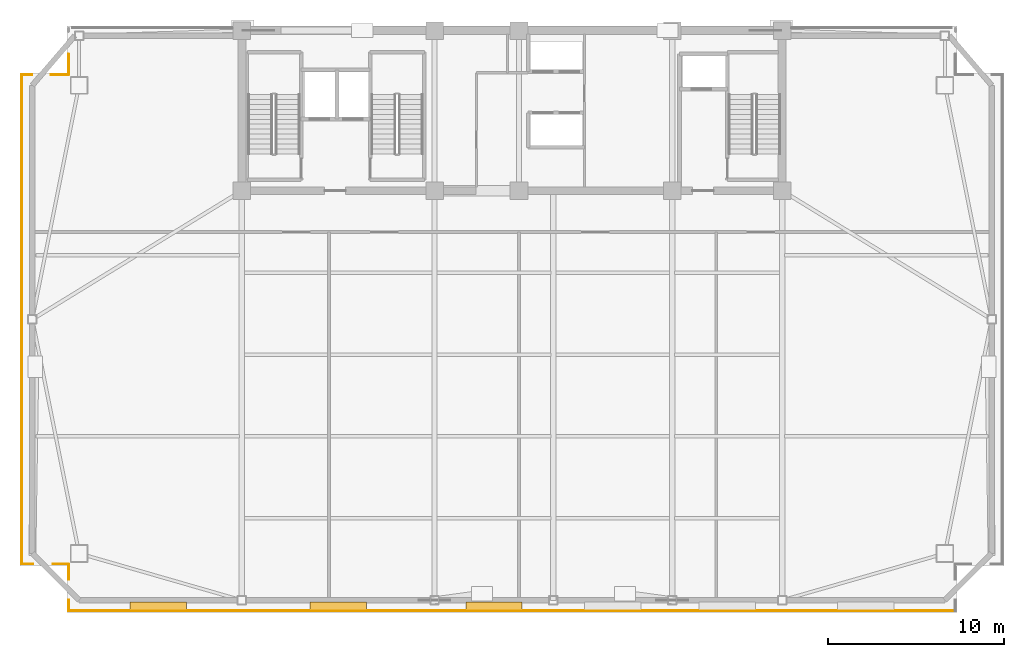
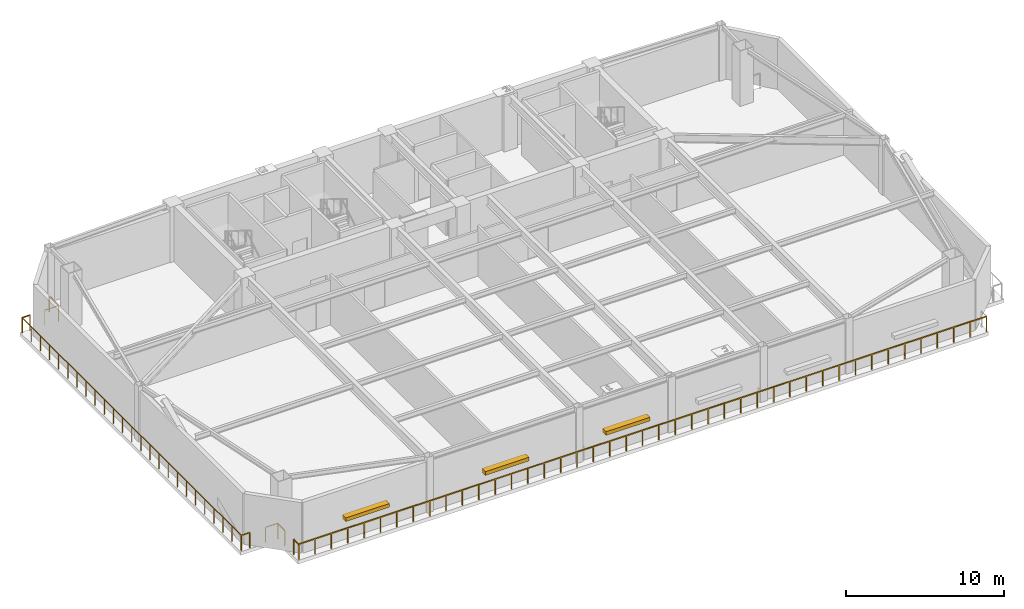
# One storey, part 5 of 9: 9 railings, 3 shading devices.
"""IFC4 building model written with IfcOpenShell, lengths in metres."""

from ifc_helpers import new_model, si_unit, direction, frame, origin, origin_2d, place, context, subcontext, project, spatial, rectangle, extrude, source, transform, mapped, material, type_object, element, save


model = new_model("IFC4")

# Units and contexts
model_context = context("Model", 3, precision=1e-05, world=origin(), true_north=direction((0.0, 1.0)))
body_context = subcontext(model_context, "Body", "Model", "MODEL_VIEW")
ifc_project = project(units=[si_unit("LENGTHUNIT", "METRE"), si_unit("AREAUNIT", "SQUARE_METRE"), si_unit("VOLUMEUNIT", "CUBIC_METRE"), si_unit("PLANEANGLEUNIT", "RADIAN"), si_unit("MASSUNIT", "GRAM", prefix="KILO")], contexts=[model_context])

# Site, building, storey
site_placement = place(None, origin())
site = spatial("IfcSite", under=ifc_project, at=site_placement, CompositionType="ELEMENT")
building_placement = place(site_placement, origin())
building = spatial("IfcBuilding", under=site, at=building_placement, Name="Giltprow Tower", CompositionType="ELEMENT")
storey_placement = place(building_placement, frame((0.0, 0.0, 237.199951171875)))
storey = spatial("IfcBuildingStorey", under=building, at=storey_placement, Name="L60", CompositionType="ELEMENT", Elevation=237.199951171875)

# Railings
ifc_material = material(Name="Anodized bronze", Category="metal")
railing_type = type_object("IfcRailingType", Name="RAIL-BALC-GUARD-1200", PredefinedType="BALUSTRADE", material=ifc_material)
railing_1_placement = place(storey_placement, frame((60.39111328125, 13.58203125, 0.0)))
element("IfcRailing", 1, at=railing_1_placement, inside=storey, type_object=railing_type, Name="L60 Corner Apron Edge Balustrade 6", PredefinedType="BALUSTRADE", context=body_context, shape_type="SweptSolid", body=[
    extrude(rectangle(XDim=0.048095703125, YDim=0.048095703125, at=origin_2d()), frame((0.0, 0.0, 1.17578125), z_axis=(-1.0, 0.0, 0.0), x_axis=(0.0, -1.0, 0.0)), (0.0, 0.0, 1.0), 50.382080078125),
    extrude(rectangle(XDim=0.0419921875, YDim=0.0419921875, at=origin_2d()), origin(), (0.0, 0.0, 1.0), 1.15185546875),
    extrude(rectangle(XDim=0.0419921875, YDim=0.0419921875, at=origin_2d()), frame((-1.199462890625, 0.0, 0.0)), (0.0, 0.0, 1.0), 1.15185546875),
    extrude(rectangle(XDim=0.0419921875, YDim=0.0419921875, at=origin_2d()), frame((-2.399169921875, 0.0, 0.0)), (0.0, 0.0, 1.0), 1.15185546875),
    extrude(rectangle(XDim=0.0419921875, YDim=0.0419921875, at=origin_2d()), frame((-3.5986328125, 0.0, 0.0)), (0.0, 0.0, 1.0), 1.15185546875),
    extrude(rectangle(XDim=0.0419921875, YDim=0.0419921875, at=origin_2d()), frame((-4.79833984375, 0.0, 0.0)), (0.0, 0.0, 1.0), 1.15185546875),
    extrude(rectangle(XDim=0.0419921875, YDim=0.0419921875, at=origin_2d()), frame((-5.997802734375, 0.0, 0.0)), (0.0, 0.0, 1.0), 1.15185546875),
    extrude(rectangle(XDim=0.0419921875, YDim=0.0419921875, at=origin_2d()), frame((-7.197509765625, 0.0, 0.0)), (0.0, 0.0, 1.0), 1.15185546875),
    extrude(rectangle(XDim=0.0419921875, YDim=0.0419921875, at=origin_2d()), frame((-8.39697265625, 0.0, 0.0)), (0.0, 0.0, 1.0), 1.15185546875),
    extrude(rectangle(XDim=0.0419921875, YDim=0.0419921875, at=origin_2d()), frame((-9.5966796875, 0.0, 0.0)), (0.0, 0.0, 1.0), 1.15185546875),
    extrude(rectangle(XDim=0.0419921875, YDim=0.0419921875, at=origin_2d()), frame((-10.796142578125, 0.0, 0.0)), (0.0, 0.0, 1.0), 1.15185546875),
    extrude(rectangle(XDim=0.0419921875, YDim=0.0419921875, at=origin_2d()), frame((-11.995849609375, 0.0, 0.0)), (0.0, 0.0, 1.0), 1.15185546875),
    extrude(rectangle(XDim=0.0419921875, YDim=0.0419921875, at=origin_2d()), frame((-13.1953125, 0.0, 0.0)), (0.0, 0.0, 1.0), 1.15185546875),
    extrude(rectangle(XDim=0.0419921875, YDim=0.0419921875, at=origin_2d()), frame((-14.394775390625, 0.0, 0.0)), (0.0, 0.0, 1.0), 1.15185546875),
    extrude(rectangle(XDim=0.0419921875, YDim=0.0419921875, at=origin_2d()), frame((-15.594482421875, 0.0, 0.0)), (0.0, 0.0, 1.0), 1.15185546875),
    extrude(rectangle(XDim=0.0419921875, YDim=0.0419921875, at=origin_2d()), frame((-16.7939453125, 0.0, 0.0)), (0.0, 0.0, 1.0), 1.15185546875),
    extrude(rectangle(XDim=0.0419921875, YDim=0.0419921875, at=origin_2d()), frame((-17.99365234375, 0.0, 0.0)), (0.0, 0.0, 1.0), 1.15185546875),
    extrude(rectangle(XDim=0.0419921875, YDim=0.0419921875, at=origin_2d()), frame((-19.193115234375, 0.0, 0.0)), (0.0, 0.0, 1.0), 1.15185546875),
    extrude(rectangle(XDim=0.0419921875, YDim=0.0419921875, at=origin_2d()), frame((-20.392822265625, 0.0, 0.0)), (0.0, 0.0, 1.0), 1.15185546875),
    extrude(rectangle(XDim=0.0419921875, YDim=0.0419921875, at=origin_2d()), frame((-21.59228515625, 0.0, 0.0)), (0.0, 0.0, 1.0), 1.15185546875),
    extrude(rectangle(XDim=0.0419921875, YDim=0.0419921875, at=origin_2d()), frame((-22.7919921875, 0.0, 0.0)), (0.0, 0.0, 1.0), 1.15185546875),
    extrude(rectangle(XDim=0.0419921875, YDim=0.0419921875, at=origin_2d()), frame((-23.991455078125, 0.0, 0.0)), (0.0, 0.0, 1.0), 1.15185546875),
    extrude(rectangle(XDim=0.0419921875, YDim=0.0419921875, at=origin_2d()), frame((-25.19091796875, 0.0, 0.0)), (0.0, 0.0, 1.0), 1.15185546875),
    extrude(rectangle(XDim=0.0419921875, YDim=0.0419921875, at=origin_2d()), frame((-26.390625, 0.0, 0.0)), (0.0, 0.0, 1.0), 1.15185546875),
    extrude(rectangle(XDim=0.0419921875, YDim=0.0419921875, at=origin_2d()), frame((-27.590087890625, 0.0, 0.0)), (0.0, 0.0, 1.0), 1.15185546875),
    extrude(rectangle(XDim=0.0419921875, YDim=0.0419921875, at=origin_2d()), frame((-28.789794921875, 0.0, 0.0)), (0.0, 0.0, 1.0), 1.15185546875),
    extrude(rectangle(XDim=0.0419921875, YDim=0.0419921875, at=origin_2d()), frame((-29.9892578125, 0.0, 0.0)), (0.0, 0.0, 1.0), 1.15185546875),
    extrude(rectangle(XDim=0.0419921875, YDim=0.0419921875, at=origin_2d()), frame((-31.18896484375, 0.0, 0.0)), (0.0, 0.0, 1.0), 1.15185546875),
    extrude(rectangle(XDim=0.0419921875, YDim=0.0419921875, at=origin_2d()), frame((-32.388427734375, 0.0, 0.0)), (0.0, 0.0, 1.0), 1.15185546875),
    extrude(rectangle(XDim=0.0419921875, YDim=0.0419921875, at=origin_2d()), frame((-33.588134765625, 0.0, 0.0)), (0.0, 0.0, 1.0), 1.15185546875),
    extrude(rectangle(XDim=0.0419921875, YDim=0.0419921875, at=origin_2d()), frame((-34.78759765625, 0.0, 0.0)), (0.0, 0.0, 1.0), 1.15185546875),
    extrude(rectangle(XDim=0.0419921875, YDim=0.0419921875, at=origin_2d()), frame((-35.9873046875, 0.0, 0.0)), (0.0, 0.0, 1.0), 1.15185546875),
    extrude(rectangle(XDim=0.0419921875, YDim=0.0419921875, at=origin_2d()), frame((-37.186767578125, 0.0, 0.0)), (0.0, 0.0, 1.0), 1.15185546875),
    extrude(rectangle(XDim=0.0419921875, YDim=0.0419921875, at=origin_2d()), frame((-38.38623046875, 0.0, 0.0)), (0.0, 0.0, 1.0), 1.15185546875),
    extrude(rectangle(XDim=0.0419921875, YDim=0.0419921875, at=origin_2d()), frame((-39.5859375, 0.0, 0.0)), (0.0, 0.0, 1.0), 1.15185546875),
    extrude(rectangle(XDim=0.0419921875, YDim=0.0419921875, at=origin_2d()), frame((-40.785400390625, 0.0, 0.0)), (0.0, 0.0, 1.0), 1.15185546875),
    extrude(rectangle(XDim=0.0419921875, YDim=0.0419921875, at=origin_2d()), frame((-41.985107421875, 0.0, 0.0)), (0.0, 0.0, 1.0), 1.15185546875),
    extrude(rectangle(XDim=0.0419921875, YDim=0.0419921875, at=origin_2d()), frame((-43.1845703125, 0.0, 0.0)), (0.0, 0.0, 1.0), 1.15185546875),
    extrude(rectangle(XDim=0.0419921875, YDim=0.0419921875, at=origin_2d()), frame((-44.38427734375, 0.0, 0.0)), (0.0, 0.0, 1.0), 1.15185546875),
    extrude(rectangle(XDim=0.0419921875, YDim=0.0419921875, at=origin_2d()), frame((-45.583740234375, 0.0, 0.0)), (0.0, 0.0, 1.0), 1.15185546875),
    extrude(rectangle(XDim=0.0419921875, YDim=0.0419921875, at=origin_2d()), frame((-46.783447265625, 0.0, 0.0)), (0.0, 0.0, 1.0), 1.15185546875),
    extrude(rectangle(XDim=0.0419921875, YDim=0.0419921875, at=origin_2d()), frame((-47.98291015625, 0.0, 0.0)), (0.0, 0.0, 1.0), 1.15185546875),
    extrude(rectangle(XDim=0.0419921875, YDim=0.0419921875, at=origin_2d()), frame((-49.1826171875, 0.0, 0.0)), (0.0, 0.0, 1.0), 1.15185546875),
    extrude(rectangle(XDim=0.0419921875, YDim=0.0419921875, at=origin_2d()), frame((-50.382080078125, 0.0, 0.0)), (0.0, 0.0, 1.0), 1.15185546875),
])
railing_2_placement = place(storey_placement, frame((10.009033203125, 13.58203125, 0.0)))
element("IfcRailing", 2, at=railing_2_placement, inside=storey, type_object=railing_type, Name="L60 Corner Apron Edge Balustrade 7", PredefinedType="BALUSTRADE", context=body_context, shape_type="SweptSolid", body=[
    extrude(rectangle(XDim=0.048095703125, YDim=0.048095703125, at=origin_2d()), frame((0.0, 0.0, 1.17578125), z_axis=(0.0, 1.0, 0.0), x_axis=(-1.0, 0.0, 0.0)), (0.0, 0.0, 1.0), 0.619873046875),
    extrude(rectangle(XDim=0.0419921875, YDim=0.0419921875, at=origin_2d()), origin(), (0.0, 0.0, 1.0), 1.15185546875),
    extrude(rectangle(XDim=0.0419921875, YDim=0.0419921875, at=origin_2d()), frame((0.0, 0.619873046875, 0.0)), (0.0, 0.0, 1.0), 1.15185546875),
])
railing_3_placement = place(storey_placement, frame((10.009033203125, 15.362060546875, 0.0)))
element("IfcRailing", 3, at=railing_3_placement, inside=storey, type_object=railing_type, Name="L60 Corner Apron Edge Balustrade 8", PredefinedType="BALUSTRADE", context=body_context, shape_type="SweptSolid", body=[
    extrude(rectangle(XDim=0.048095703125, YDim=0.048095703125, at=origin_2d()), frame((0.0, 0.0, 1.17578125), z_axis=(0.0, 1.0, 0.0), x_axis=(-1.0, 0.0, 0.0)), (0.0, 0.0, 1.0), 0.880859375),
    extrude(rectangle(XDim=0.0419921875, YDim=0.0419921875, at=origin_2d()), origin(), (0.0, 0.0, 1.0), 1.15185546875),
    extrude(rectangle(XDim=0.0419921875, YDim=0.0419921875, at=origin_2d()), frame((0.0, 0.880859375, 0.0)), (0.0, 0.0, 1.0), 1.15185546875),
])
railing_4_placement = place(storey_placement, frame((10.009033203125, 16.242919921875, 0.0)))
element("IfcRailing", 4, at=railing_4_placement, inside=storey, type_object=railing_type, Name="L60 Corner Apron Edge Balustrade 9", PredefinedType="BALUSTRADE", context=body_context, shape_type="SweptSolid", body=[
    extrude(rectangle(XDim=0.048095703125, YDim=0.048095703125, at=origin_2d()), frame((0.0, 0.0, 1.17578125), z_axis=(-1.0, 0.0, 0.0), x_axis=(0.0, -1.0, 0.0)), (0.0, 0.0, 1.0), 0.881103515625),
    extrude(rectangle(XDim=0.0419921875, YDim=0.0419921875, at=origin_2d()), origin(), (0.0, 0.0, 1.0), 1.15185546875),
    extrude(rectangle(XDim=0.0419921875, YDim=0.0419921875, at=origin_2d()), frame((-0.881103515625, 0.0, 0.0)), (0.0, 0.0, 1.0), 1.15185546875),
])
railing_5_placement = place(storey_placement, frame((7.968017578125, 16.242919921875, 0.0)))
element("IfcRailing", 5, at=railing_5_placement, inside=storey, type_object=railing_type, Name="L60 Corner Apron Edge Balustrade 10", PredefinedType="BALUSTRADE", context=body_context, shape_type="SweptSolid", body=[
    extrude(rectangle(XDim=0.048095703125, YDim=0.048095703125, at=origin_2d()), frame((0.0, 0.0, 1.17578125), z_axis=(-1.0, 0.0, 0.0), x_axis=(0.0, -1.0, 0.0)), (0.0, 0.0, 1.0), 0.6201171875),
    extrude(rectangle(XDim=0.0419921875, YDim=0.0419921875, at=origin_2d()), origin(), (0.0, 0.0, 1.0), 1.15185546875),
    extrude(rectangle(XDim=0.0419921875, YDim=0.0419921875, at=origin_2d()), frame((-0.6201171875, 0.0, 0.0)), (0.0, 0.0, 1.0), 1.15185546875),
])
railing_6_placement = place(storey_placement, frame((7.347900390625, 16.242919921875, 0.0)))
element("IfcRailing", 6, at=railing_6_placement, inside=storey, type_object=railing_type, Name="L60 Corner Apron Edge Balustrade 11", PredefinedType="BALUSTRADE", context=body_context, shape_type="SweptSolid", body=[
    extrude(rectangle(XDim=0.048095703125, YDim=0.048095703125, at=origin_2d()), frame((0.0, 0.0, 1.17578125), z_axis=(0.0, 1.0, 0.0), x_axis=(-1.0, 0.0, 0.0)), (0.0, 0.0, 1.0), 27.796142578125),
    extrude(rectangle(XDim=0.0419921875, YDim=0.0419921875, at=origin_2d()), origin(), (0.0, 0.0, 1.0), 1.15185546875),
    extrude(rectangle(XDim=0.0419921875, YDim=0.0419921875, at=origin_2d()), frame((0.0, 1.158203125, 0.0)), (0.0, 0.0, 1.0), 1.15185546875),
    extrude(rectangle(XDim=0.0419921875, YDim=0.0419921875, at=origin_2d()), frame((0.0, 2.31640625, 0.0)), (0.0, 0.0, 1.0), 1.15185546875),
    extrude(rectangle(XDim=0.0419921875, YDim=0.0419921875, at=origin_2d()), frame((0.0, 3.474609375, 0.0)), (0.0, 0.0, 1.0), 1.15185546875),
    extrude(rectangle(XDim=0.0419921875, YDim=0.0419921875, at=origin_2d()), frame((0.0, 4.6328125, 0.0)), (0.0, 0.0, 1.0), 1.15185546875),
    extrude(rectangle(XDim=0.0419921875, YDim=0.0419921875, at=origin_2d()), frame((0.0, 5.790771484375, 0.0)), (0.0, 0.0, 1.0), 1.15185546875),
    extrude(rectangle(XDim=0.0419921875, YDim=0.0419921875, at=origin_2d()), frame((0.0, 6.948974609375, 0.0)), (0.0, 0.0, 1.0), 1.15185546875),
    extrude(rectangle(XDim=0.0419921875, YDim=0.0419921875, at=origin_2d()), frame((0.0, 8.107177734375, 0.0)), (0.0, 0.0, 1.0), 1.15185546875),
    extrude(rectangle(XDim=0.0419921875, YDim=0.0419921875, at=origin_2d()), frame((0.0, 9.265380859375, 0.0)), (0.0, 0.0, 1.0), 1.15185546875),
    extrude(rectangle(XDim=0.0419921875, YDim=0.0419921875, at=origin_2d()), frame((0.0, 10.423583984375, 0.0)), (0.0, 0.0, 1.0), 1.15185546875),
    extrude(rectangle(XDim=0.0419921875, YDim=0.0419921875, at=origin_2d()), frame((0.0, 11.581787109375, 0.0)), (0.0, 0.0, 1.0), 1.15185546875),
    extrude(rectangle(XDim=0.0419921875, YDim=0.0419921875, at=origin_2d()), frame((0.0, 12.739990234375, 0.0)), (0.0, 0.0, 1.0), 1.15185546875),
    extrude(rectangle(XDim=0.0419921875, YDim=0.0419921875, at=origin_2d()), frame((0.0, 13.89794921875, 0.0)), (0.0, 0.0, 1.0), 1.15185546875),
    extrude(rectangle(XDim=0.0419921875, YDim=0.0419921875, at=origin_2d()), frame((0.0, 15.05615234375, 0.0)), (0.0, 0.0, 1.0), 1.15185546875),
    extrude(rectangle(XDim=0.0419921875, YDim=0.0419921875, at=origin_2d()), frame((0.0, 16.21435546875, 0.0)), (0.0, 0.0, 1.0), 1.15185546875),
    extrude(rectangle(XDim=0.0419921875, YDim=0.0419921875, at=origin_2d()), frame((0.0, 17.37255859375, 0.0)), (0.0, 0.0, 1.0), 1.15185546875),
    extrude(rectangle(XDim=0.0419921875, YDim=0.0419921875, at=origin_2d()), frame((0.0, 18.53076171875, 0.0)), (0.0, 0.0, 1.0), 1.15185546875),
    extrude(rectangle(XDim=0.0419921875, YDim=0.0419921875, at=origin_2d()), frame((0.0, 19.68896484375, 0.0)), (0.0, 0.0, 1.0), 1.15185546875),
    extrude(rectangle(XDim=0.0419921875, YDim=0.0419921875, at=origin_2d()), frame((0.0, 20.84716796875, 0.0)), (0.0, 0.0, 1.0), 1.15185546875),
    extrude(rectangle(XDim=0.0419921875, YDim=0.0419921875, at=origin_2d()), frame((0.0, 22.00537109375, 0.0)), (0.0, 0.0, 1.0), 1.15185546875),
    extrude(rectangle(XDim=0.0419921875, YDim=0.0419921875, at=origin_2d()), frame((0.0, 23.16357421875, 0.0)), (0.0, 0.0, 1.0), 1.15185546875),
    extrude(rectangle(XDim=0.0419921875, YDim=0.0419921875, at=origin_2d()), frame((0.0, 24.321533203125, 0.0)), (0.0, 0.0, 1.0), 1.15185546875),
    extrude(rectangle(XDim=0.0419921875, YDim=0.0419921875, at=origin_2d()), frame((0.0, 25.479736328125, 0.0)), (0.0, 0.0, 1.0), 1.15185546875),
    extrude(rectangle(XDim=0.0419921875, YDim=0.0419921875, at=origin_2d()), frame((0.0, 26.637939453125, 0.0)), (0.0, 0.0, 1.0), 1.15185546875),
    extrude(rectangle(XDim=0.0419921875, YDim=0.0419921875, at=origin_2d()), frame((0.0, 27.796142578125, 0.0)), (0.0, 0.0, 1.0), 1.15185546875),
])
railing_7_placement = place(storey_placement, frame((7.347900390625, 44.0390625, 0.0)))
element("IfcRailing", 7, at=railing_7_placement, inside=storey, type_object=railing_type, Name="L60 Corner Apron Edge Balustrade 12", PredefinedType="BALUSTRADE", context=body_context, shape_type="SweptSolid", body=[
    extrude(rectangle(XDim=0.048095703125, YDim=0.048095703125, at=origin_2d()), frame((0.0, 0.0, 1.17578125), z_axis=(1.0, 0.0, 0.0), x_axis=(0.0, 1.0, 0.0)), (0.0, 0.0, 1.0), 0.57421875),
    extrude(rectangle(XDim=0.0419921875, YDim=0.0419921875, at=origin_2d()), origin(), (0.0, 0.0, 1.0), 1.15185546875),
    extrude(rectangle(XDim=0.0419921875, YDim=0.0419921875, at=origin_2d()), frame((0.57421875, 0.0, 0.0)), (0.0, 0.0, 1.0), 1.15185546875),
])
railing_8_placement = place(storey_placement, frame((9.0029296875, 44.0390625, 0.0)))
element("IfcRailing", 8, at=railing_8_placement, inside=storey, type_object=railing_type, Name="L60 Corner Apron Edge Balustrade 13", PredefinedType="BALUSTRADE", context=body_context, shape_type="SweptSolid", body=[
    extrude(rectangle(XDim=0.048095703125, YDim=0.048095703125, at=origin_2d()), frame((0.0, 0.0, 1.17578125), z_axis=(1.0, 0.0, 0.0), x_axis=(0.0, 1.0, 0.0)), (0.0, 0.0, 1.0), 1.006103515625),
    extrude(rectangle(XDim=0.0419921875, YDim=0.0419921875, at=origin_2d()), origin(), (0.0, 0.0, 1.0), 1.15185546875),
    extrude(rectangle(XDim=0.0419921875, YDim=0.0419921875, at=origin_2d()), frame((1.006103515625, 0.0, 0.0)), (0.0, 0.0, 1.0), 1.15185546875),
])
railing_9_placement = place(storey_placement, frame((10.009033203125, 44.0390625, 0.0)))
element("IfcRailing", 9, at=railing_9_placement, inside=storey, type_object=railing_type, Name="L60 Corner Apron Edge Balustrade 14", PredefinedType="BALUSTRADE", context=body_context, shape_type="SweptSolid", body=[
    extrude(rectangle(XDim=0.048095703125, YDim=0.048095703125, at=origin_2d()), frame((0.0, 0.0, 1.17578125), z_axis=(0.0, 1.0, 0.0), x_axis=(-1.0, 0.0, 0.0)), (0.0, 0.0, 1.0), 1.1728515625),
    extrude(rectangle(XDim=0.0419921875, YDim=0.0419921875, at=origin_2d()), origin(), (0.0, 0.0, 1.0), 1.15185546875),
    extrude(rectangle(XDim=0.0419921875, YDim=0.0419921875, at=origin_2d()), frame((0.0, 1.1728515625, 0.0)), (0.0, 0.0, 1.0), 1.15185546875),
])

# Shading devices
shading_device_type = type_object("IfcShadingDeviceType", Name="SHD-LOUVRE-320", PredefinedType="JALOUSIE", material=ifc_material)
shared_shape = source(origin(), body_context, "Body", "SweptSolid", [
    extrude(rectangle(XDim=3.199951171875, YDim=0.449951171875, at=origin_2d()), origin(), (0.0, 0.0, 1.0), 0.280029296875),
])
for number, where, z_axis, x_axis, name in (
    (10, (15.10498046875, 13.8720703125, 1.66015625), (0.0, 0.0, 1.0), (1.0, 0.0, 0.0), "L60 Refuge Intake Louvre S-1"),
    (11, (25.324951171875, 13.8720703125, 1.66015625), (0.0, 0.0, 1.0), (1.0, 0.0, 0.0), "L60 Refuge Intake Louvre S-2"),
    (12, (34.175048828125, 13.8720703125, 1.66015625), (0.0, 0.0, 1.0), (1.0, 0.0, 0.0), "L60 Refuge Intake Louvre S-3"),
):
    element("IfcShadingDevice", number, at=place(storey_placement, frame(where, z_axis=z_axis, x_axis=x_axis)), inside=storey, type_object=shading_device_type, Name=name, PredefinedType="JALOUSIE", context=body_context, shape_type="MappedRepresentation", body=[
        mapped(shared_shape, transform((0.0, 0.0, 0.0), x_axis=(1.0, 0.0, 0.0), y_axis=(0.0, 1.0, 0.0), z_axis=(0.0, 0.0, 1.0), scale=1.0)),
    ])

save(model, "model.ifc")
